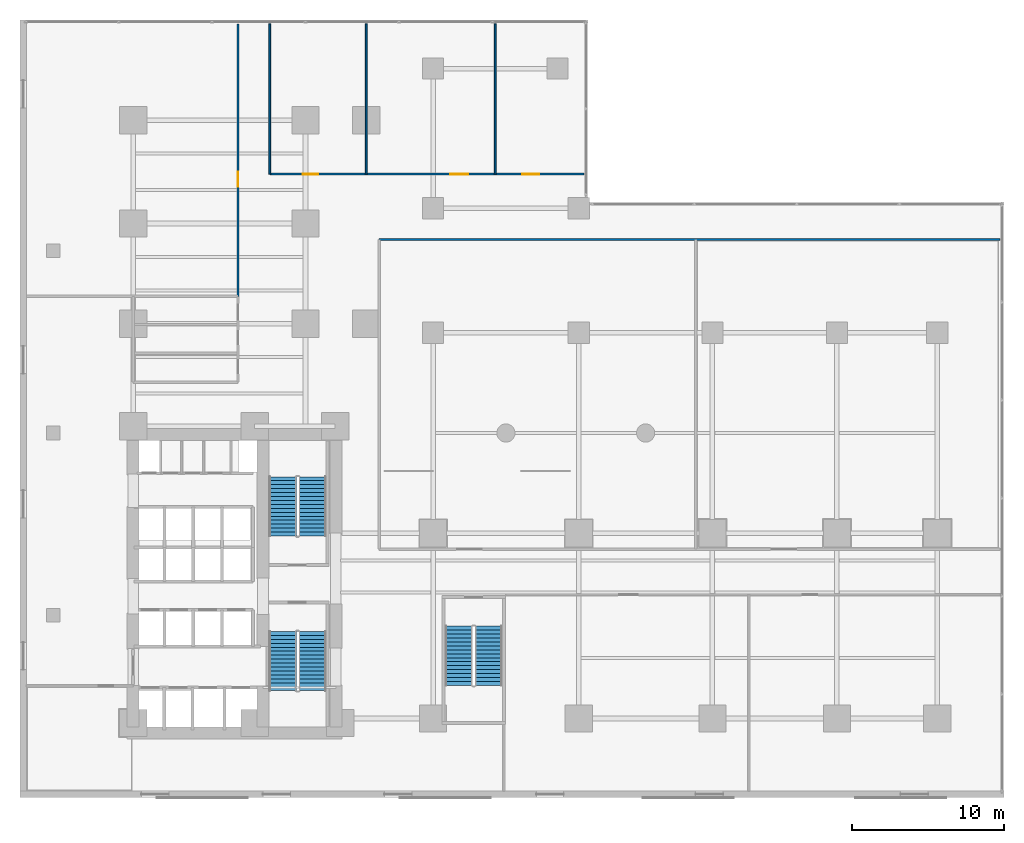
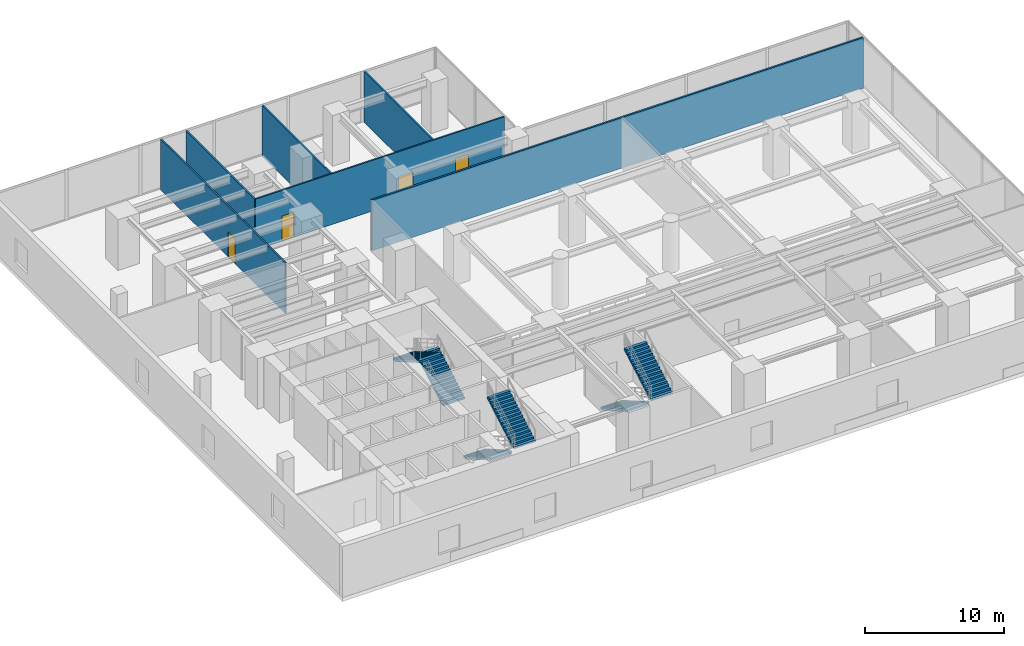
# One storey, part 14 of 16: 6 stair flights, 6 walls, 4 doors, 4 openings, 3 elements without a shape of their own.
"""IFC4 building model written with IfcOpenShell, lengths in metres."""

import ifcopenshell
import ifcopenshell.guid

model = None  # the IFC model being written
_history = None  # IfcOwnerHistory: only IFC2X3 demands one
_inside = {}  # id of a spatial element -> (the spatial element, [elements in it])
_under = {}  # id of a project, library or spatial element -> (it, [spatial elements below it])
_declared = {}  # id of a project -> (the project, [libraries it declares])
_typed = {}  # id of a type object -> (the type object, [elements of that type])
_made_of = {}  # id of a material, layer set ... -> (it, [elements and type objects made of it])


def new_model(schema):
    """Start an empty IFC model of exactly this schema.

    Asked for "IFC4X3", IfcOpenShell would pick the latest addendum, in which some entities
    have other attributes; the version numbers below select the first issue.
    IFC2X3 requires an IfcOwnerHistory on every rooted entity: one is made here for all.
    """
    global model, _history
    if schema == "IFC4X3":
        model = ifcopenshell.file(schema_version=(4, 3, 0, 0))
    else:
        model = ifcopenshell.file(schema=schema)
    _inside.clear()
    _under.clear()
    _declared.clear()
    _typed.clear()
    _made_of.clear()
    _history = None
    if model.schema == "IFC2X3":
        org = make("IfcOrganization", Name="unknown")
        user = make(
            "IfcPersonAndOrganization",
            ThePerson=make("IfcPerson", FamilyName="unknown"),
            TheOrganization=org,
        )
        app = make(
            "IfcApplication",
            ApplicationDeveloper=org,
            Version="unknown",
            ApplicationFullName="unknown",
            ApplicationIdentifier="unknown",
        )
        _history = make(
            "IfcOwnerHistory",
            OwningUser=user,
            OwningApplication=app,
            ChangeAction="ADDED",
            CreationDate=0,
        )
    return model


def make(cls, **values):
    """One entity of the class cls with the attributes given. An attribute that is None is left unset."""
    return model.create_entity(
        cls, **{name: value for name, value in values.items() if value is not None}
    )


def rooted(cls, **values):
    """An entity with a GlobalId (a new one), such as an element, a storey or a relation."""
    return make(cls, GlobalId=ifcopenshell.guid.new(), OwnerHistory=_history, **values)


def si_unit(unit_type, name, prefix=None):
    """IfcSIUnit, for example si_unit("LENGTHUNIT", "METRE", prefix="MILLI")."""
    return make("IfcSIUnit", UnitType=unit_type, Prefix=prefix, Name=name)


def assignment(units):
    """IfcUnitAssignment: the units of a project."""
    return None if units is None else make("IfcUnitAssignment", Units=units)


def point(xyz):
    """IfcCartesianPoint."""
    return None if xyz is None else make("IfcCartesianPoint", Coordinates=xyz)


def direction(xyz):
    """IfcDirection."""
    return None if xyz is None else make("IfcDirection", DirectionRatios=xyz)


def frame(location, z_axis=None, x_axis=None):
    """IfcAxis2Placement3D, a coordinate frame: its origin and axes. An axis left out is left unset."""
    return make(
        "IfcAxis2Placement3D",
        Location=point(location),
        Axis=direction(z_axis),
        RefDirection=direction(x_axis),
    )


def frame_2d(location, x_axis=None):
    """IfcAxis2Placement2D, a coordinate frame in the plane: its origin and x axis."""
    return make(
        "IfcAxis2Placement2D", Location=point(location), RefDirection=direction(x_axis)
    )


def origin():
    """The frame at (0, 0, 0) with its axes left unset."""
    return frame((0.0, 0.0, 0.0))


def place(relative_to, where):
    """IfcLocalPlacement: puts the frame where relative to a parent placement (None: the world)."""
    return make(
        "IfcLocalPlacement", PlacementRelTo=relative_to, RelativePlacement=where
    )


def context(
    kind, dimensions, precision=None, world=None, true_north=None, identifier=None
):
    """IfcGeometricRepresentationContext, for example the 3D "Model" context."""
    return make(
        "IfcGeometricRepresentationContext",
        ContextIdentifier=identifier,
        ContextType=kind,
        CoordinateSpaceDimension=dimensions,
        Precision=precision,
        WorldCoordinateSystem=world,
        TrueNorth=true_north,
    )


def subcontext(parent, identifier, kind, view, scale=None):
    """IfcGeometricRepresentationSubContext, for example "Body" below "Model"."""
    return make(
        "IfcGeometricRepresentationSubContext",
        ContextIdentifier=identifier,
        ContextType=kind,
        ParentContext=parent,
        TargetScale=scale,
        TargetView=view,
    )


def project(units=None, contexts=None):
    """IfcProject with its units and contexts."""
    return rooted(
        "IfcProject",
        Name="project",
        RepresentationContexts=contexts,
        UnitsInContext=assignment(units),
    )


def spatial(cls, under=None, at=None, **own):
    """A site, building, storey or space (cls), placed at a placement, below another one or the project."""
    s = rooted(cls, ObjectPlacement=at, **own)
    if under is not None:
        _under.setdefault(under.id(), (under, []))[1].append(s)
    return s


def polyline(points):
    """IfcPolyline through the points."""
    return make("IfcPolyline", Points=[point(p) for p in points])


def profile(cls, at=None, kind="AREA", **sizes):
    """A parametric profile (cls). Its sizes go by their IFC names, for example OverallWidth=200.0."""
    return make(cls, ProfileType=kind, Position=at, **sizes)


def rectangle(**sizes):
    """IfcRectangleProfileDef."""
    return profile("IfcRectangleProfileDef", **sizes)


def outline(outer, holes=None, kind="AREA"):
    """IfcArbitraryClosedProfileDef: a profile drawn as a closed curve; with holes, ...WithVoids."""
    if holes is None:
        return make("IfcArbitraryClosedProfileDef", ProfileType=kind, OuterCurve=outer)
    return make(
        "IfcArbitraryProfileDefWithVoids",
        ProfileType=kind,
        OuterCurve=outer,
        InnerCurves=holes,
    )


def extrude(swept, where, along, depth):
    """IfcExtrudedAreaSolid: the profile swept, set in the frame where, extruded along a direction by depth."""
    return make(
        "IfcExtrudedAreaSolid",
        SweptArea=swept,
        Position=where,
        ExtrudedDirection=direction(along),
        Depth=depth,
    )


def shape(context_of_items, identifier, shape_type, items):
    """IfcShapeRepresentation: the items that make up one representation, for example the "Body"."""
    return make(
        "IfcShapeRepresentation",
        ContextOfItems=context_of_items,
        RepresentationIdentifier=identifier,
        RepresentationType=shape_type,
        Items=items,
    )


def material(Name=None, Category=None):
    """IfcMaterial."""
    return make("IfcMaterial", Name=Name, Category=Category)


def layer(
    of_material, thickness, ventilated=None, Name=None, Category=None, Priority=None
):
    """IfcMaterialLayer: one layer of a wall or slab, of a material (None: an air gap)."""
    return make(
        "IfcMaterialLayer",
        Material=of_material,
        LayerThickness=thickness,
        IsVentilated=ventilated,
        Name=Name,
        Category=Category,
        Priority=Priority,
    )


def layer_set(layers, Name=None):
    """IfcMaterialLayerSet."""
    return make("IfcMaterialLayerSet", MaterialLayers=layers, LayerSetName=Name)


def made_of(thing, what):
    """Note that an element or type object is made of a material, layer set ...; save() writes the relation."""
    if what is not None:
        _made_of.setdefault(what.id(), (what, []))[1].append(thing)
    return thing


def type_object(cls, material=None, **own):
    """A type object (cls), such as IfcWallType, which elements share."""
    return made_of(rooted(cls, **own), material)


def element(
    cls,
    number,
    at=None,
    inside=None,
    cuts=None,
    type_object=None,
    material=None,
    context=None,
    identifier="Body",
    shape_type=None,
    held_by="IfcProductDefinitionShape",
    body=None,
    shapes=None,
    **own,
):
    """One element of the class cls, such as IfcWall. Its Tag is "e" and its number.

    at: its placement. inside: the storey or other place that contains it. cuts: it is an
    opening in that element (IfcRelVoidsElement). A single representation is given by context,
    identifier, shape_type and body (its items); several are given by shapes. held_by: the class
    of the entity that holds the representations. save() writes the other relations.
    """
    e = rooted(cls, Tag="e%d" % number, ObjectPlacement=at, **own)
    if body is not None:
        shapes = [shape(context, identifier, shape_type, body)]
    if shapes is not None:
        e.Representation = make(held_by, Representations=shapes)
    if inside is not None:
        _inside.setdefault(inside.id(), (inside, []))[1].append(e)
    if cuts is not None:
        rooted(
            "IfcRelVoidsElement", RelatingBuildingElement=cuts, RelatedOpeningElement=e
        )
    if type_object is not None:
        _typed.setdefault(type_object.id(), (type_object, []))[1].append(e)
    return made_of(e, material)


def fill(opening, filler):
    """IfcRelFillsElement: the door or window that sits in an opening."""
    return rooted(
        "IfcRelFillsElement",
        RelatingOpeningElement=opening,
        RelatedBuildingElement=filler,
    )


def aggregate(whole, parts):
    """IfcRelAggregates: a whole, such as a stair, and the parts it consists of."""
    return rooted("IfcRelAggregates", RelatingObject=whole, RelatedObjects=parts)


def save(model, path):
    """Write the relations noted so far, then the file.

    IfcRelAggregates (storeys below a building ...), IfcRelContainedInSpatialStructure (elements
    in a storey), IfcRelDefinesByType, IfcRelAssociatesMaterial and IfcRelDeclares: one each for
    every whole, place, type object, material and project.
    """
    for whole, parts in _under.values():
        aggregate(whole, parts)
    for where, things in _inside.values():
        rooted(
            "IfcRelContainedInSpatialStructure",
            RelatedElements=things,
            RelatingStructure=where,
        )
    for kind, things in _typed.values():
        rooted("IfcRelDefinesByType", RelatedObjects=things, RelatingType=kind)
    for what, things in _made_of.values():
        rooted("IfcRelAssociatesMaterial", RelatedObjects=things, RelatingMaterial=what)
    for by, libraries in _declared.values():
        rooted("IfcRelDeclares", RelatingContext=by, RelatedDefinitions=libraries)
    model.write(path)


model = new_model("IFC4")

# Units and contexts
model_context = context("Model", 3, precision=1e-05, world=origin(), true_north=direction((0.0, 1.0)))
body_context = subcontext(model_context, "Body", "Model", "MODEL_VIEW")
ifc_project = project(units=[si_unit("LENGTHUNIT", "METRE"), si_unit("AREAUNIT", "SQUARE_METRE"), si_unit("VOLUMEUNIT", "CUBIC_METRE"), si_unit("PLANEANGLEUNIT", "RADIAN"), si_unit("MASSUNIT", "GRAM", prefix="KILO")], contexts=[model_context])

# Site, building, storey
site_placement = place(None, origin())
site = spatial("IfcSite", under=ifc_project, at=site_placement, CompositionType="ELEMENT")
building_placement = place(site_placement, origin())
building = spatial("IfcBuilding", under=site, at=building_placement, Name="Kolvaren Waterfront Exchange", CompositionType="ELEMENT")
storey_placement = place(building_placement, frame((0.0, 0.0, 10.39990234375)))
storey = spatial("IfcBuildingStorey", under=building, at=storey_placement, Name="L03", CompositionType="ELEMENT", Elevation=10.39990234375)

# Wall, opening, door
ifc_material_1 = material(Name="Acoustic gypsum steel stud", Category="steel")
ifc_layer_1 = layer(ifc_material_1, 0.125, Name="Acoustic gypsum steel stud")
ifc_layer_set_1 = layer_set([ifc_layer_1], Name="Acoustic gypsum steel stud")
wall_type_1 = type_object("IfcWallType", Name="ARC-PART-125", PredefinedType="PARTITIONING", material=ifc_layer_set_1)
wall_1_placement = place(storey_placement, frame((14.35009765625, 33.0, 0.0), z_axis=(0.0, 0.0, 1.0), x_axis=(0.0, 1.0, 0.0)))
wall_1 = element("IfcWall", 1, at=wall_1_placement, inside=storey, type_object=wall_type_1, Name="L03 interior wall PW-L03-POD-NW-E", PredefinedType="PARTITIONING", context=body_context, shape_type="SweptSolid", body=[
    extrude(rectangle(XDim=17.949951171875, YDim=0.125, at=frame_2d((8.97509765625, 0.0))), origin(), (0.0, 0.0, 1.0), 4.460205078125),
])
opening_1_placement = place(wall_1_placement, frame((7.220458984375, 0.0, 0.0)))
opening_1 = element("IfcOpeningElement", 2, at=opening_1_placement, cuts=wall_1, Name="Opening D03", PredefinedType="OPENING", context=body_context, shape_type="SweptSolid", body=[
    extrude(rectangle(XDim=1.0, YDim=2.199951171875, at=frame_2d((0.5, 1.10009765625))), frame((0.0, 0.072509765625, 0.0), z_axis=(0.0, -1.0, 0.0), x_axis=(1.0, 0.0, 0.0)), (0.0, 0.0, 1.0), 0.14501953125),
])
ifc_material_2 = material(Name="Oak veneer accessible timber", Category="wood")
door_type_1 = type_object("IfcDoorType", Name="ARC-DR-1000", OperationType="NOTDEFINED", PredefinedType="DOOR", material=ifc_material_2)
door_1_placement = place(opening_1_placement, origin())
door_1 = element("IfcDoor", 3, at=door_1_placement, inside=storey, type_object=door_type_1, Name="L03 door DR-L03-PIT-D (D03)", OperationType="SINGLE_SWING_RIGHT", OverallHeight=2.199951171875, OverallWidth=1.0, PredefinedType="DOOR", context=body_context, shape_type="SweptSolid", body=[
    extrude(rectangle(XDim=1.0, YDim=2.199951171875, at=frame_2d((0.5, 1.10009765625))), frame((0.0, 0.02490234375, 0.0), z_axis=(0.0, -1.0, 0.0), x_axis=(1.0, 0.0, 0.0)), (0.0, 0.0, 1.0), 0.050048828125),
])
fill(opening_1, door_1)

# Wall, openings, doors
wall_2_placement = place(storey_placement, frame((16.449951171875, 41.050048828125, 0.0), z_axis=(0.0, 0.0, 1.0), x_axis=(1.0, 0.0, 0.0)))
wall_2 = element("IfcWall", 4, at=wall_2_placement, inside=storey, type_object=wall_type_1, Name="L03 interior wall PW-L03-POD-NE-S", PredefinedType="PARTITIONING", context=body_context, shape_type="SweptSolid", body=[
    extrude(rectangle(XDim=20.699951171875, YDim=0.125, at=frame_2d((10.35009765625, 0.0))), origin(), (0.0, 0.0, 1.0), 4.460205078125),
])
opening_2_placement = place(wall_2_placement, frame((2.177978515625, 0.0, 0.0)))
opening_2 = element("IfcOpeningElement", 5, at=opening_2_placement, cuts=wall_2, Name="Opening D03", PredefinedType="OPENING", context=body_context, shape_type="SweptSolid", body=[
    extrude(rectangle(XDim=1.0, YDim=2.199951171875, at=frame_2d((0.5, 1.10009765625))), frame((0.0, 0.072509765625, 0.0), z_axis=(0.0, -1.0, 0.0), x_axis=(1.0, 0.0, 0.0)), (0.0, 0.0, 1.0), 0.14501953125),
])
opening_3_placement = place(wall_2_placement, frame((11.880859375, 0.0, 0.0)))
opening_3 = element("IfcOpeningElement", 6, at=opening_3_placement, cuts=wall_2, Name="Opening D05", PredefinedType="OPENING", context=body_context, shape_type="SweptSolid", body=[
    extrude(rectangle(XDim=1.199951171875, YDim=2.25, at=frame_2d((0.60009765625, 1.125))), frame((0.0, 0.072509765625, 0.0), z_axis=(0.0, -1.0, 0.0), x_axis=(1.0, 0.0, 0.0)), (0.0, 0.0, 1.0), 0.14501953125),
])
opening_4_placement = place(wall_2_placement, frame((16.62890625, 0.0, 0.0)))
opening_4 = element("IfcOpeningElement", 7, at=opening_4_placement, cuts=wall_2, Name="Opening D04", PredefinedType="OPENING", context=body_context, shape_type="SweptSolid", body=[
    extrude(rectangle(XDim=1.10009765625, YDim=2.199951171875, at=frame_2d((0.550048828125, 1.10009765625))), frame((0.0, 0.072509765625, 0.0), z_axis=(0.0, -1.0, 0.0), x_axis=(1.0, 0.0, 0.0)), (0.0, 0.0, 1.0), 0.14501953125),
])
door_2_placement = place(opening_2_placement, origin())
door_2 = element("IfcDoor", 8, at=door_2_placement, inside=storey, type_object=door_type_1, Name="L03 door DR-L03-POPS-D (D03)", OperationType="SINGLE_SWING_LEFT", OverallHeight=2.199951171875, OverallWidth=1.0, PredefinedType="DOOR", context=body_context, shape_type="SweptSolid", body=[
    extrude(rectangle(XDim=1.0, YDim=2.199951171875, at=frame_2d((0.5, 1.10009765625))), frame((0.0, 0.02490234375, 0.0), z_axis=(0.0, -1.0, 0.0), x_axis=(1.0, 0.0, 0.0)), (0.0, 0.0, 1.0), 0.050048828125),
])
fill(opening_2, door_2)
ifc_material_3 = material(Name="Anodised bronze framed glass", Category="aluminium")
door_type_2 = type_object("IfcDoorType", Name="ARC-DR-1100", OperationType="NOTDEFINED", PredefinedType="DOOR", material=ifc_material_3)
door_3_placement = place(opening_4_placement, origin())
door_3 = element("IfcDoor", 9, at=door_3_placement, inside=storey, type_object=door_type_2, Name="L03 door DR-L03-PFOY2-D (D04)", OperationType="SINGLE_SWING_LEFT", OverallHeight=2.199951171875, OverallWidth=1.10009765625, PredefinedType="DOOR", context=body_context, shape_type="SweptSolid", body=[
    extrude(rectangle(XDim=1.10009765625, YDim=2.199951171875, at=frame_2d((0.550048828125, 1.10009765625))), frame((0.0, 0.02490234375, 0.0), z_axis=(0.0, -1.0, 0.0), x_axis=(1.0, 0.0, 0.0)), (0.0, 0.0, 1.0), 0.050048828125),
])
fill(opening_4, door_3)
door_type_3 = type_object("IfcDoorType", Name="ARC-DR-1200", OperationType="NOTDEFINED", PredefinedType="DOOR", material=ifc_material_3)
door_4_placement = place(opening_3_placement, origin())
door_4 = element("IfcDoor", 10, at=door_4_placement, inside=storey, type_object=door_type_3, Name="L03 door DR-L03-PFOY1-D (D05)", OperationType="SINGLE_SWING_RIGHT", OverallHeight=2.25, OverallWidth=1.199951171875, PredefinedType="DOOR", context=body_context, shape_type="SweptSolid", body=[
    extrude(rectangle(XDim=1.199951171875, YDim=2.25, at=frame_2d((0.60009765625, 1.125))), frame((0.0, 0.02490234375, 0.0), z_axis=(0.0, -1.0, 0.0), x_axis=(1.0, 0.0, 0.0)), (0.0, 0.0, 1.0), 0.050048828125),
])
fill(opening_3, door_4)

# Walls
for number, where, z_axis, x_axis, name in (
    (11, (16.449951171875, 41.050048828125, 0.0), (0.0, 0.0, 1.0), (0.0, 1.0, 0.0), "L03 interior wall PW-L03-POD-NE-W0"),
    (12, (22.800048828125, 41.050048828125, 0.0), (0.0, 0.0, 1.0), (0.0, 1.0, 0.0), "L03 interior wall PW-L03-POD-NE-M1"),
    (13, (31.300048828125, 41.050048828125, 0.0), (0.0, 0.0, 1.0), (0.0, 1.0, 0.0), "L03 interior wall PW-L03-POD-NE-M2"),
):
    element("IfcWall", number, at=place(storey_placement, frame(where, z_axis=z_axis, x_axis=x_axis)), inside=storey, type_object=wall_type_1, Name=name, PredefinedType="PARTITIONING", context=body_context, shape_type="SweptSolid", body=[
        extrude(rectangle(XDim=9.89990234375, YDim=0.125, at=frame_2d((4.949951171875, 0.0))), origin(), (0.0, 0.0, 1.0), 4.460205078125),
    ])
ifc_material_4 = material(Name="Gypsum fireboard steel stud", Category="steel")
ifc_layer_2 = layer(ifc_material_4, 0.14990234375, Name="Gypsum fireboard steel stud")
ifc_layer_set_2 = layer_set([ifc_layer_2], Name="Gypsum fireboard steel stud")
wall_type_2 = type_object("IfcWallType", Name="ARC-PART-150", PredefinedType="PARTITIONING", material=ifc_layer_set_2)
wall_3_placement = place(storey_placement, frame((23.64990234375, 36.75, 0.0), z_axis=(0.0, 0.0, 1.0), x_axis=(1.0, 0.0, 0.0)))
element("IfcWall", 14, at=wall_3_placement, inside=storey, type_object=wall_type_2, Name="L03 interior wall PW-L03-POD-HALL-N", PredefinedType="PARTITIONING", context=body_context, shape_type="SweptSolid", body=[
    extrude(rectangle(XDim=40.900146484375, YDim=0.14990234375, at=frame_2d((20.4501953125, 0.0))), origin(), (0.0, 0.0, 1.0), 4.460205078125),
])

# Stair, stair flights
ifc_material_5 = material(Name="Concrete C40/50", Category="concrete")
stair_type = type_object("IfcStairType", Name="ARC-STAIR-4800", PredefinedType="HALF_TURN_STAIR", material=ifc_material_5)
stair_1_placement = place(storey_placement, origin())
stair_1 = element("IfcStair", 15, at=stair_1_placement, inside=storey, type_object=stair_type, Name="L03 Smoke-proof exit stair ST1", PredefinedType="HALF_TURN_STAIR")
stair_flight_type = type_object("IfcStairFlightType", Name="ARC-FLIGHT-4800", PredefinedType="STRAIGHT", material=ifc_material_5)
stair_flight_1_placement = place(storey_placement, frame((17.300048828125, 10.929931640625, 0.0), z_axis=(0.0, 0.0, 1.0), x_axis=(0.0, -1.0, 0.0)))
stair_flight_1 = element("IfcStairFlight", 16, at=stair_flight_1_placement, type_object=stair_flight_type, Name="ST1 flight 1", NumberOfRisers=16, NumberOfTreads=15, PredefinedType="STRAIGHT", RiserHeight=0.15, TreadLength=0.26, context=body_context, shape_type="SweptSolid", body=[
    extrude(outline(polyline([(0.0, 0.0), (0.0, 0.14990234375), (0.260009765625, 0.14990234375), (0.260009765625, 0.300048828125), (0.52001953125, 0.300048828125), (0.52001953125, 0.449951171875), (0.780029296875, 0.449951171875), (0.780029296875, 0.60009765625), (1.0400390625, 0.60009765625), (1.0400390625, 0.75), (1.300048828125, 0.75), (1.300048828125, 0.89990234375), (1.56005859375, 0.89990234375), (1.56005859375, 1.050048828125), (1.820068359375, 1.050048828125), (1.820068359375, 1.199951171875), (2.080078125, 1.199951171875), (2.080078125, 1.35009765625), (2.340087890625, 1.35009765625), (2.340087890625, 1.5), (2.60009765625, 1.5), (2.60009765625, 1.64990234375), (2.860107421875, 1.64990234375), (2.860107421875, 1.800048828125), (3.1201171875, 1.800048828125), (3.1201171875, 1.949951171875), (3.3798828125, 1.949951171875), (3.3798828125, 2.10009765625), (3.639892578125, 2.10009765625), (3.639892578125, 2.25), (3.89990234375, 2.25), (3.89990234375, 2.39990234375), (3.89990234375, 2.076904296875), (0.300048828125, 0.0), (0.0, 0.0)])), frame((0.0, 0.89990234375, 0.0), z_axis=(0.0, -1.0, 0.0), x_axis=(1.0, 0.0, 0.0)), (0.0, 0.0, 1.0), 1.800048828125),
])
stair_flight_2_placement = place(storey_placement, frame((19.260009765625, 7.030029296875, 2.400146484375), z_axis=(0.0, 0.0, 1.0), x_axis=(0.0, 1.0, 0.0)))
stair_flight_2 = element("IfcStairFlight", 17, at=stair_flight_2_placement, type_object=stair_flight_type, Name="ST1 flight 2", NumberOfRisers=16, NumberOfTreads=15, PredefinedType="STRAIGHT", RiserHeight=0.15, TreadLength=0.26, context=body_context, shape_type="SweptSolid", body=[
    extrude(outline(polyline([(0.0, 0.0), (0.0, 0.14990234375), (0.260009765625, 0.14990234375), (0.260009765625, 0.300048828125), (0.52001953125, 0.300048828125), (0.52001953125, 0.449951171875), (0.780029296875, 0.449951171875), (0.780029296875, 0.60009765625), (1.0400390625, 0.60009765625), (1.0400390625, 0.75), (1.300048828125, 0.75), (1.300048828125, 0.89990234375), (1.56005859375, 0.89990234375), (1.56005859375, 1.050048828125), (1.820068359375, 1.050048828125), (1.820068359375, 1.199951171875), (2.080078125, 1.199951171875), (2.080078125, 1.35009765625), (2.340087890625, 1.35009765625), (2.340087890625, 1.5), (2.60009765625, 1.5), (2.60009765625, 1.64990234375), (2.860107421875, 1.64990234375), (2.860107421875, 1.800048828125), (3.1201171875, 1.800048828125), (3.1201171875, 1.949951171875), (3.3798828125, 1.949951171875), (3.3798828125, 2.10009765625), (3.639892578125, 2.10009765625), (3.639892578125, 2.25), (3.89990234375, 2.25), (3.89990234375, 2.39990234375), (3.89990234375, 2.076904296875), (0.300048828125, 0.0), (0.0, 0.0)])), frame((0.0, 0.89990234375, 0.0), z_axis=(0.0, -1.0, 0.0), x_axis=(1.0, 0.0, 0.0)), (0.0, 0.0, 1.0), 1.800048828125),
])
aggregate(stair_1, [stair_flight_1, stair_flight_2])

stair_2_placement = place(storey_placement, origin())
stair_2 = element("IfcStair", 18, at=stair_2_placement, inside=storey, type_object=stair_type, Name="L03 Smoke-proof exit stair ST2", PredefinedType="HALF_TURN_STAIR")
stair_flight_3_placement = place(storey_placement, frame((19.260009765625, 17.219970703125, 0.0), z_axis=(0.0, 0.0, 1.0), x_axis=(0.0, 1.0, 0.0)))
stair_flight_3 = element("IfcStairFlight", 19, at=stair_flight_3_placement, type_object=stair_flight_type, Name="ST2 flight 1", NumberOfRisers=16, NumberOfTreads=15, PredefinedType="STRAIGHT", RiserHeight=0.15, TreadLength=0.26, context=body_context, shape_type="SweptSolid", body=[
    extrude(outline(polyline([(0.0, 0.0), (0.0, 0.14990234375), (0.260009765625, 0.14990234375), (0.260009765625, 0.300048828125), (0.52001953125, 0.300048828125), (0.52001953125, 0.449951171875), (0.780029296875, 0.449951171875), (0.780029296875, 0.60009765625), (1.0400390625, 0.60009765625), (1.0400390625, 0.75), (1.300048828125, 0.75), (1.300048828125, 0.89990234375), (1.56005859375, 0.89990234375), (1.56005859375, 1.050048828125), (1.820068359375, 1.050048828125), (1.820068359375, 1.199951171875), (2.080078125, 1.199951171875), (2.080078125, 1.35009765625), (2.340087890625, 1.35009765625), (2.340087890625, 1.5), (2.60009765625, 1.5), (2.60009765625, 1.64990234375), (2.860107421875, 1.64990234375), (2.860107421875, 1.800048828125), (3.1201171875, 1.800048828125), (3.1201171875, 1.949951171875), (3.3798828125, 1.949951171875), (3.3798828125, 2.10009765625), (3.639892578125, 2.10009765625), (3.639892578125, 2.25), (3.89990234375, 2.25), (3.89990234375, 2.39990234375), (3.89990234375, 2.076904296875), (0.300048828125, 0.0), (0.0, 0.0)])), frame((0.0, 0.89990234375, 0.0), z_axis=(0.0, -1.0, 0.0), x_axis=(1.0, 0.0, 0.0)), (0.0, 0.0, 1.0), 1.800048828125),
])
stair_flight_4_placement = place(storey_placement, frame((17.300048828125, 21.1201171875, 2.400146484375), z_axis=(0.0, 0.0, 1.0), x_axis=(0.0, -1.0, 0.0)))
stair_flight_4 = element("IfcStairFlight", 20, at=stair_flight_4_placement, type_object=stair_flight_type, Name="ST2 flight 2", NumberOfRisers=16, NumberOfTreads=15, PredefinedType="STRAIGHT", RiserHeight=0.15, TreadLength=0.26, context=body_context, shape_type="SweptSolid", body=[
    extrude(outline(polyline([(0.0, 0.0), (0.0, 0.14990234375), (0.260009765625, 0.14990234375), (0.260009765625, 0.300048828125), (0.52001953125, 0.300048828125), (0.52001953125, 0.449951171875), (0.780029296875, 0.449951171875), (0.780029296875, 0.60009765625), (1.0400390625, 0.60009765625), (1.0400390625, 0.75), (1.300048828125, 0.75), (1.300048828125, 0.89990234375), (1.56005859375, 0.89990234375), (1.56005859375, 1.050048828125), (1.820068359375, 1.050048828125), (1.820068359375, 1.199951171875), (2.080078125, 1.199951171875), (2.080078125, 1.35009765625), (2.340087890625, 1.35009765625), (2.340087890625, 1.5), (2.60009765625, 1.5), (2.60009765625, 1.64990234375), (2.860107421875, 1.64990234375), (2.860107421875, 1.800048828125), (3.1201171875, 1.800048828125), (3.1201171875, 1.949951171875), (3.3798828125, 1.949951171875), (3.3798828125, 2.10009765625), (3.639892578125, 2.10009765625), (3.639892578125, 2.25), (3.89990234375, 2.25), (3.89990234375, 2.39990234375), (3.89990234375, 2.076904296875), (0.300048828125, 0.0), (0.0, 0.0)])), frame((0.0, 0.89990234375, 0.0), z_axis=(0.0, -1.0, 0.0), x_axis=(1.0, 0.0, 0.0)), (0.0, 0.0, 1.0), 1.800048828125),
])
aggregate(stair_2, [stair_flight_3, stair_flight_4])

stair_3_placement = place(storey_placement, origin())
stair_3 = element("IfcStair", 21, at=stair_3_placement, inside=storey, type_object=stair_type, Name="L03 Exit stair ST3", PredefinedType="HALF_TURN_STAIR")
stair_flight_5_placement = place(storey_placement, frame((28.89990234375, 11.280029296875, 0.0), z_axis=(0.0, 0.0, 1.0), x_axis=(0.0, -1.0, 0.0)))
stair_flight_5 = element("IfcStairFlight", 22, at=stair_flight_5_placement, type_object=stair_flight_type, Name="ST3 flight 1", NumberOfRisers=16, NumberOfTreads=15, PredefinedType="STRAIGHT", RiserHeight=0.15, TreadLength=0.26, context=body_context, shape_type="SweptSolid", body=[
    extrude(outline(polyline([(0.0, 0.0), (0.0, 0.14990234375), (0.260009765625, 0.14990234375), (0.260009765625, 0.300048828125), (0.52001953125, 0.300048828125), (0.52001953125, 0.449951171875), (0.780029296875, 0.449951171875), (0.780029296875, 0.60009765625), (1.0400390625, 0.60009765625), (1.0400390625, 0.75), (1.300048828125, 0.75), (1.300048828125, 0.89990234375), (1.56005859375, 0.89990234375), (1.56005859375, 1.050048828125), (1.820068359375, 1.050048828125), (1.820068359375, 1.199951171875), (2.080078125, 1.199951171875), (2.080078125, 1.35009765625), (2.340087890625, 1.35009765625), (2.340087890625, 1.5), (2.60009765625, 1.5), (2.60009765625, 1.64990234375), (2.860107421875, 1.64990234375), (2.860107421875, 1.800048828125), (3.1201171875, 1.800048828125), (3.1201171875, 1.949951171875), (3.3798828125, 1.949951171875), (3.3798828125, 2.10009765625), (3.639892578125, 2.10009765625), (3.639892578125, 2.25), (3.89990234375, 2.25), (3.89990234375, 2.39990234375), (3.89990234375, 2.076904296875), (0.300048828125, 0.0), (0.0, 0.0)])), frame((0.0, 0.89990234375, 0.0), z_axis=(0.0, -1.0, 0.0), x_axis=(1.0, 0.0, 0.0)), (0.0, 0.0, 1.0), 1.800048828125),
])
stair_flight_6_placement = place(storey_placement, frame((30.860107421875, 7.3798828125, 2.400146484375), z_axis=(0.0, 0.0, 1.0), x_axis=(0.0, 1.0, 0.0)))
stair_flight_6 = element("IfcStairFlight", 23, at=stair_flight_6_placement, type_object=stair_flight_type, Name="ST3 flight 2", NumberOfRisers=16, NumberOfTreads=15, PredefinedType="STRAIGHT", RiserHeight=0.15, TreadLength=0.26, context=body_context, shape_type="SweptSolid", body=[
    extrude(outline(polyline([(0.0, 0.0), (0.0, 0.14990234375), (0.260009765625, 0.14990234375), (0.260009765625, 0.300048828125), (0.52001953125, 0.300048828125), (0.52001953125, 0.449951171875), (0.780029296875, 0.449951171875), (0.780029296875, 0.60009765625), (1.0400390625, 0.60009765625), (1.0400390625, 0.75), (1.300048828125, 0.75), (1.300048828125, 0.89990234375), (1.56005859375, 0.89990234375), (1.56005859375, 1.050048828125), (1.820068359375, 1.050048828125), (1.820068359375, 1.199951171875), (2.080078125, 1.199951171875), (2.080078125, 1.35009765625), (2.340087890625, 1.35009765625), (2.340087890625, 1.5), (2.60009765625, 1.5), (2.60009765625, 1.64990234375), (2.860107421875, 1.64990234375), (2.860107421875, 1.800048828125), (3.1201171875, 1.800048828125), (3.1201171875, 1.949951171875), (3.3798828125, 1.949951171875), (3.3798828125, 2.10009765625), (3.639892578125, 2.10009765625), (3.639892578125, 2.25), (3.89990234375, 2.25), (3.89990234375, 2.39990234375), (3.89990234375, 2.076904296875), (0.300048828125, 0.0), (0.0, 0.0)])), frame((0.0, 0.89990234375, 0.0), z_axis=(0.0, -1.0, 0.0), x_axis=(1.0, 0.0, 0.0)), (0.0, 0.0, 1.0), 1.800048828125),
])
aggregate(stair_3, [stair_flight_5, stair_flight_6])

save(model, "model.ifc")
